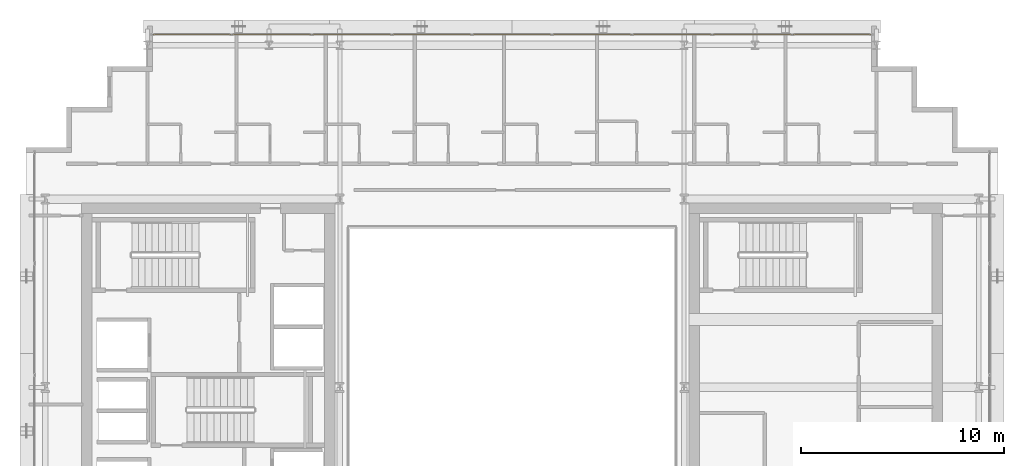
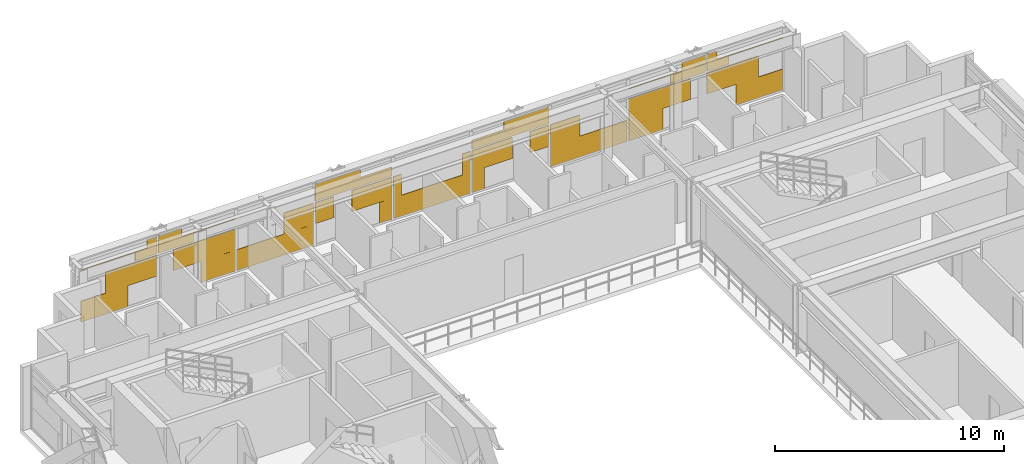
# One storey, part 32 of 32: 1 covering.
"""IFC4 building model written with IfcOpenShell, lengths in metres."""

from ifc_helpers import new_model, si_unit, direction, frame, origin, origin_2d, place, context, subcontext, project, spatial, rectangle, extrude, material, layer, layer_set, type_object, element, save


model = new_model("IFC4")

# Units and contexts
model_context = context("Model", 3, precision=1e-05, world=origin(), true_north=direction((0.0, 1.0)))
body_context = subcontext(model_context, "Body", "Model", "MODEL_VIEW")
ifc_project = project(units=[si_unit("LENGTHUNIT", "METRE"), si_unit("AREAUNIT", "SQUARE_METRE"), si_unit("VOLUMEUNIT", "CUBIC_METRE"), si_unit("PLANEANGLEUNIT", "RADIAN"), si_unit("MASSUNIT", "GRAM", prefix="KILO")], contexts=[model_context])

# Site, building, storey
site_placement = place(None, origin())
site = spatial("IfcSite", under=ifc_project, at=site_placement, CompositionType="ELEMENT")
building_placement = place(site_placement, origin())
building = spatial("IfcBuilding", under=site, at=building_placement, Name="Ocotamira Hotel", CompositionType="ELEMENT")
storey_placement = place(building_placement, frame((0.0, 0.0, 166.800048828125)))
storey = spatial("IfcBuildingStorey", under=building, at=storey_placement, Name="L41", CompositionType="ELEMENT", Elevation=166.800048828125)

# Covering
ifc_material = material(Name="Insulated pale-metal aluminium spandrel panel", Category="aluminium")
ifc_layer = layer(ifc_material, 0.044921875)
ifc_layer_set = layer_set([ifc_layer], Name="Insulated pale-metal aluminium spandrel panel")
covering_type = type_object("IfcCoveringType", Name="COV-INFILL-45", PredefinedType="CLADDING", material=ifc_layer_set)
covering_placement = place(storey_placement, origin())
element("IfcCovering", 1, at=covering_placement, inside=storey, type_object=covering_type, Name="L41 Curtain Wall Infill CW-4 CW-L41-N", PredefinedType="CLADDING", context=body_context, shape_type="SweptSolid", body=[
    extrude(rectangle(XDim=2.37158203125, YDim=0.044921875, at=origin_2d()), frame((15.46630859375, 45.580078125, 0.0751953125), z_axis=(0.0, 0.0, 1.0), x_axis=(1.0, 0.0, 0.0)), (0.0, 0.0, 1.0), 1.117919921875),
    extrude(rectangle(XDim=2.58251953125, YDim=0.044921875, at=origin_2d()), frame((16.82373046875, 45.580078125, 1.19384765625), z_axis=(0.0, 0.0, 1.0), x_axis=(1.0, 0.0, 0.0)), (0.0, 0.0, 1.0), 1.117919921875),
    extrude(rectangle(XDim=3.834716796875, YDim=0.044921875, at=origin_2d()), frame((16.19775390625, 45.580078125, 2.83154296875), z_axis=(0.0, 0.0, 1.0), x_axis=(1.0, 0.0, 0.0)), (0.0, 0.0, 1.0), 0.0302734375),
    extrude(rectangle(XDim=1.090576171875, YDim=0.044921875, at=origin_2d()), frame((17.56982421875, 45.580078125, 2.3876953125), z_axis=(0.0, 0.0, 1.0), x_axis=(1.0, 0.0, 0.0)), (0.0, 0.0, 1.0), 0.442626953125),
    extrude(rectangle(XDim=0.496826171875, YDim=0.044921875, at=origin_2d()), frame((17.86669921875, 45.580078125, 2.86279296875), z_axis=(0.0, 0.0, 1.0), x_axis=(1.0, 0.0, 0.0)), (0.0, 0.0, 1.0), 0.431640625),
    extrude(rectangle(XDim=3.12109375, YDim=0.044921875, at=origin_2d()), frame((20.510009765625, 45.580078125, 1.19384765625), z_axis=(0.0, 0.0, 1.0), x_axis=(1.0, 0.0, 0.0)), (0.0, 0.0, 1.0), 1.117919921875),
    extrude(rectangle(XDim=1.72265625, YDim=0.044921875, at=origin_2d()), frame((21.209228515625, 45.580078125, 0.0751953125), z_axis=(0.0, 0.0, 1.0), x_axis=(1.0, 0.0, 0.0)), (0.0, 0.0, 1.0), 1.117919921875),
    extrude(rectangle(XDim=1.779296875, YDim=0.044921875, at=origin_2d()), frame((19.085693359375, 45.580078125, 2.3876953125), z_axis=(0.0, 0.0, 1.0), x_axis=(1.0, 0.0, 0.0)), (0.0, 0.0, 1.0), 0.442626953125),
    extrude(rectangle(XDim=3.87451171875, YDim=0.044921875, at=origin_2d()), frame((20.13330078125, 45.580078125, 2.83154296875), z_axis=(0.0, 0.0, 1.0), x_axis=(1.0, 0.0, 0.0)), (0.0, 0.0, 1.0), 0.0302734375),
    extrude(rectangle(XDim=1.185791015625, YDim=0.044921875, at=origin_2d()), frame((18.7890625, 45.580078125, 2.86279296875), z_axis=(0.0, 0.0, 1.0), x_axis=(1.0, 0.0, 0.0)), (0.0, 0.0, 1.0), 0.431640625),
    extrude(rectangle(XDim=3.87451171875, YDim=0.044921875, at=origin_2d()), frame((24.0888671875, 45.580078125, 0.0751953125), z_axis=(0.0, 0.0, 1.0), x_axis=(1.0, 0.0, 0.0)), (0.0, 0.0, 1.0), 1.117919921875),
    extrude(rectangle(XDim=1.493896484375, YDim=0.044921875, at=origin_2d()), frame((25.279296875, 45.580078125, 1.19384765625), z_axis=(0.0, 0.0, 1.0), x_axis=(1.0, 0.0, 0.0)), (0.0, 0.0, 1.0), 1.117919921875),
    extrude(rectangle(XDim=0.943115234375, YDim=0.044921875, at=origin_2d()), frame((26.578857421875, 45.580078125, 1.19384765625), z_axis=(0.0, 0.0, 1.0), x_axis=(1.0, 0.0, 0.0)), (0.0, 0.0, 1.0), 1.117919921875),
    extrude(rectangle(XDim=2.031982421875, YDim=0.044921875, at=origin_2d()), frame((28.9658203125, 45.580078125, 1.19384765625), z_axis=(0.0, 0.0, 1.0), x_axis=(1.0, 0.0, 0.0)), (0.0, 0.0, 1.0), 1.117919921875),
    extrude(rectangle(XDim=0.6337890625, YDim=0.044921875, at=origin_2d()), frame((29.664794921875, 45.580078125, 0.0751953125), z_axis=(0.0, 0.0, 1.0), x_axis=(1.0, 0.0, 0.0)), (0.0, 0.0, 1.0), 1.117919921875),
    extrude(rectangle(XDim=3.87451171875, YDim=0.044921875, at=origin_2d()), frame((28.04443359375, 45.580078125, 2.3876953125), z_axis=(0.0, 0.0, 1.0), x_axis=(1.0, 0.0, 0.0)), (0.0, 0.0, 1.0), 0.473876953125),
    extrude(rectangle(XDim=2.274658203125, YDim=0.044921875, at=origin_2d()), frame((27.244384765625, 45.580078125, 2.86279296875), z_axis=(0.0, 0.0, 1.0), x_axis=(1.0, 0.0, 0.0)), (0.0, 0.0, 1.0), 0.431640625),
    extrude(rectangle(XDim=3.87451171875, YDim=0.044921875, at=origin_2d()), frame((32.0, 45.580078125, 0.0751953125), z_axis=(0.0, 0.0, 1.0), x_axis=(1.0, 0.0, 0.0)), (0.0, 0.0, 1.0), 1.117919921875),
    extrude(rectangle(XDim=0.40478515625, YDim=0.044921875, at=origin_2d()), frame((30.26513671875, 45.580078125, 1.19384765625), z_axis=(0.0, 0.0, 1.0), x_axis=(1.0, 0.0, 0.0)), (0.0, 0.0, 1.0), 1.117919921875),
    extrude(rectangle(XDim=0.40478515625, YDim=0.044921875, at=origin_2d()), frame((33.73486328125, 45.580078125, 1.19384765625), z_axis=(0.0, 0.0, 1.0), x_axis=(1.0, 0.0, 0.0)), (0.0, 0.0, 1.0), 1.117919921875),
    extrude(rectangle(XDim=0.6337890625, YDim=0.044921875, at=origin_2d()), frame((34.335205078125, 45.580078125, 0.0751953125), z_axis=(0.0, 0.0, 1.0), x_axis=(1.0, 0.0, 0.0)), (0.0, 0.0, 1.0), 1.117919921875),
    extrude(rectangle(XDim=2.031982421875, YDim=0.044921875, at=origin_2d()), frame((35.0341796875, 45.580078125, 1.19384765625), z_axis=(0.0, 0.0, 1.0), x_axis=(1.0, 0.0, 0.0)), (0.0, 0.0, 1.0), 1.117919921875),
    extrude(rectangle(XDim=0.943115234375, YDim=0.044921875, at=origin_2d()), frame((37.421142578125, 45.580078125, 1.19384765625), z_axis=(0.0, 0.0, 1.0), x_axis=(1.0, 0.0, 0.0)), (0.0, 0.0, 1.0), 1.117919921875),
    extrude(rectangle(XDim=3.87451171875, YDim=0.044921875, at=origin_2d()), frame((35.95556640625, 45.580078125, 2.3876953125), z_axis=(0.0, 0.0, 1.0), x_axis=(1.0, 0.0, 0.0)), (0.0, 0.0, 1.0), 0.473876953125),
    extrude(rectangle(XDim=2.274658203125, YDim=0.044921875, at=origin_2d()), frame((36.755615234375, 45.580078125, 2.86279296875), z_axis=(0.0, 0.0, 1.0), x_axis=(1.0, 0.0, 0.0)), (0.0, 0.0, 1.0), 0.431640625),
    extrude(rectangle(XDim=3.87451171875, YDim=0.044921875, at=origin_2d()), frame((39.9111328125, 45.580078125, 0.0751953125), z_axis=(0.0, 0.0, 1.0), x_axis=(1.0, 0.0, 0.0)), (0.0, 0.0, 1.0), 1.117919921875),
    extrude(rectangle(XDim=1.493896484375, YDim=0.044921875, at=origin_2d()), frame((38.720703125, 45.580078125, 1.19384765625), z_axis=(0.0, 0.0, 1.0), x_axis=(1.0, 0.0, 0.0)), (0.0, 0.0, 1.0), 1.117919921875),
    extrude(rectangle(XDim=1.72265625, YDim=0.044921875, at=origin_2d()), frame((42.790771484375, 45.580078125, 0.0751953125), z_axis=(0.0, 0.0, 1.0), x_axis=(1.0, 0.0, 0.0)), (0.0, 0.0, 1.0), 1.117919921875),
    extrude(rectangle(XDim=3.12109375, YDim=0.044921875, at=origin_2d()), frame((43.489990234375, 45.580078125, 1.19384765625), z_axis=(0.0, 0.0, 1.0), x_axis=(1.0, 0.0, 0.0)), (0.0, 0.0, 1.0), 1.117919921875),
    extrude(rectangle(XDim=3.87451171875, YDim=0.044921875, at=origin_2d()), frame((43.86669921875, 45.580078125, 2.83154296875), z_axis=(0.0, 0.0, 1.0), x_axis=(1.0, 0.0, 0.0)), (0.0, 0.0, 1.0), 0.0302734375),
    extrude(rectangle(XDim=1.779296875, YDim=0.044921875, at=origin_2d()), frame((44.914306640625, 45.580078125, 2.3876953125), z_axis=(0.0, 0.0, 1.0), x_axis=(1.0, 0.0, 0.0)), (0.0, 0.0, 1.0), 0.442626953125),
    extrude(rectangle(XDim=1.185791015625, YDim=0.044921875, at=origin_2d()), frame((45.2109375, 45.580078125, 2.86279296875), z_axis=(0.0, 0.0, 1.0), x_axis=(1.0, 0.0, 0.0)), (0.0, 0.0, 1.0), 0.431640625),
    extrude(rectangle(XDim=2.58251953125, YDim=0.044921875, at=origin_2d()), frame((47.17626953125, 45.580078125, 1.19384765625), z_axis=(0.0, 0.0, 1.0), x_axis=(1.0, 0.0, 0.0)), (0.0, 0.0, 1.0), 1.117919921875),
    extrude(rectangle(XDim=2.37158203125, YDim=0.044921875, at=origin_2d()), frame((48.53369140625, 45.580078125, 0.0751953125), z_axis=(0.0, 0.0, 1.0), x_axis=(1.0, 0.0, 0.0)), (0.0, 0.0, 1.0), 1.117919921875),
    extrude(rectangle(XDim=1.090576171875, YDim=0.044921875, at=origin_2d()), frame((46.43017578125, 45.580078125, 2.3876953125), z_axis=(0.0, 0.0, 1.0), x_axis=(1.0, 0.0, 0.0)), (0.0, 0.0, 1.0), 0.442626953125),
    extrude(rectangle(XDim=3.834716796875, YDim=0.044921875, at=origin_2d()), frame((47.80224609375, 45.580078125, 2.83154296875), z_axis=(0.0, 0.0, 1.0), x_axis=(1.0, 0.0, 0.0)), (0.0, 0.0, 1.0), 0.0302734375),
    extrude(rectangle(XDim=0.496826171875, YDim=0.044921875, at=origin_2d()), frame((46.13330078125, 45.580078125, 2.86279296875), z_axis=(0.0, 0.0, 1.0), x_axis=(1.0, 0.0, 0.0)), (0.0, 0.0, 1.0), 0.431640625),
])

save(model, "model.ifc")
